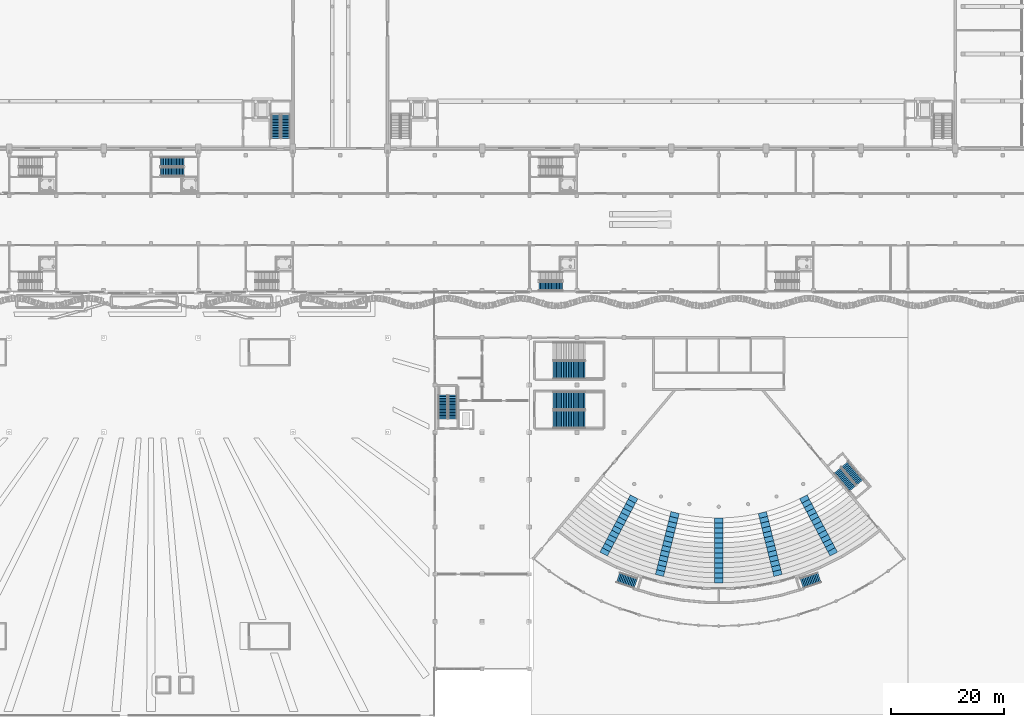
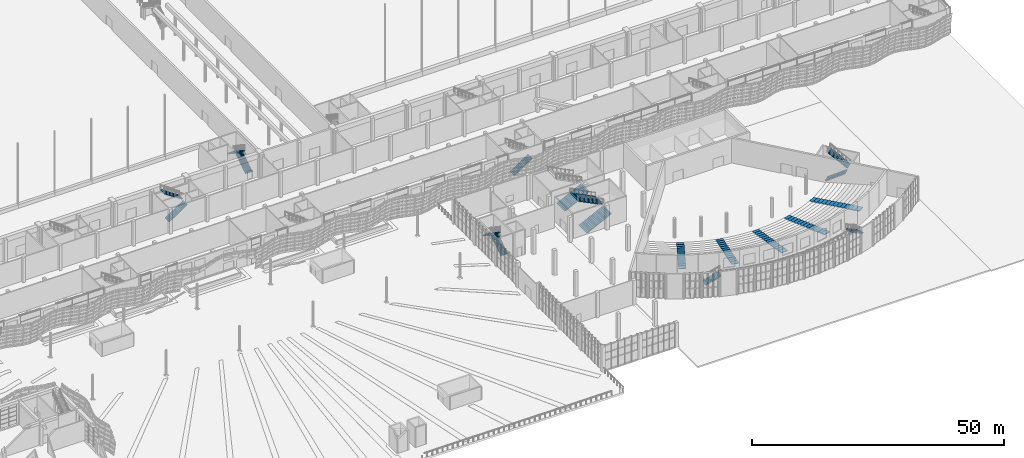
# One storey, part 130 of 210: 19 stair flights, 14 elements without a shape of their own.
"""IFC4 building model written with IfcOpenShell, lengths in metres."""

from ifc_helpers import new_model, si_unit, direction, frame, origin, place, context, subcontext, project, spatial, polyline, outline, extrude, material, layer, layer_set, type_object, element, aggregate, save


model = new_model("IFC4")

# Units and contexts
model_context = context("Model", 3, precision=1e-05, world=origin(), true_north=direction((0.0, 1.0)))
body_context = subcontext(model_context, "Body", "Model", "MODEL_VIEW")
ifc_project = project(units=[si_unit("LENGTHUNIT", "METRE"), si_unit("AREAUNIT", "SQUARE_METRE"), si_unit("VOLUMEUNIT", "CUBIC_METRE"), si_unit("PLANEANGLEUNIT", "RADIAN"), si_unit("MASSUNIT", "GRAM", prefix="KILO")], contexts=[model_context])

# Site, building, storey
site_placement = place(None, origin())
site = spatial("IfcSite", under=ifc_project, at=site_placement, CompositionType="ELEMENT")
building_placement = place(site_placement, origin())
building = spatial("IfcBuilding", under=site, at=building_placement, Name="Rain Tree Exposition and Congress Centre", CompositionType="ELEMENT")
storey_placement = place(building_placement, origin())
storey = spatial("IfcBuildingStorey", under=building, at=storey_placement, Name="L00", CompositionType="ELEMENT", Elevation=0.0)

# Stair, stair flight
ifc_material_1 = material(Name="Concrete C40/50", Category="concrete")
stair_type_1 = type_object("IfcStairType", Name="Aisle stair 1500 congress", PredefinedType="STRAIGHT_RUN_STAIR", material=ifc_material_1)
stair_1_placement = place(storey_placement, origin())
stair_1 = element("IfcStair", 1, at=stair_1_placement, inside=storey, type_object=stair_type_1, Name="Aisle stair AS1", PredefinedType="STRAIGHT_RUN_STAIR")
ifc_material_2 = material(Name="Concrete C40/50", Category="concrete")
ifc_layer_1 = layer(ifc_material_2, 0.14990234375)
ifc_layer_set_1 = layer_set([ifc_layer_1], Name="Concrete C40/50")
stair_flight_type_1 = type_object("IfcStairFlightType", Name="Aisle stair flight 1500 congress", PredefinedType="STRAIGHT", material=ifc_layer_set_1)
stair_flight_1_placement = place(storey_placement, frame((186.576904296875, 38.94580078125, 0.0), z_axis=(0.0, 0.0, 1.0), x_axis=(-0.469471562786, -0.882947592859, 0.0)))
stair_flight_1 = element("IfcStairFlight", 2, at=stair_flight_1_placement, type_object=stair_flight_type_1, Name="Aisle stair AS1 flight", NumberOfRisers=14, NumberOfTreads=13, PredefinedType="STRAIGHT", RiserHeight=0.15, TreadLength=0.8857, context=body_context, shape_type="SweptSolid", body=[
    extrude(outline(polyline([(0.0, 0.0), (0.0, 0.14990234375), (0.8857421875, 0.14990234375), (0.8857421875, 0.300048828125), (1.771484375, 0.300048828125), (1.771484375, 0.449951171875), (2.656982421875, 0.449951171875), (2.656982421875, 0.60009765625), (3.542724609375, 0.60009765625), (3.542724609375, 0.75), (4.428466796875, 0.75), (4.428466796875, 0.89990234375), (5.314208984375, 0.89990234375), (5.314208984375, 1.050048828125), (6.199951171875, 1.050048828125), (6.199951171875, 1.199951171875), (7.085693359375, 1.199951171875), (7.085693359375, 1.35009765625), (7.97119140625, 1.35009765625), (7.97119140625, 1.5), (8.85693359375, 1.5), (8.85693359375, 1.64990234375), (9.74267578125, 1.64990234375), (9.74267578125, 1.800048828125), (10.62841796875, 1.800048828125), (10.62841796875, 1.949951171875), (11.51416015625, 1.949951171875), (11.51416015625, 2.10009765625), (11.51416015625, 1.7978515625), (0.897705078125, 0.0), (0.0, 0.0)])), frame((0.0, 0.75, 0.0), z_axis=(0.0, -1.0, 0.0), x_axis=(1.0, 0.0, 0.0)), (0.0, 0.0, 1.0), 1.5),
])
aggregate(stair_1, [stair_flight_1])

stair_2_placement = place(storey_placement, origin())
stair_2 = element("IfcStair", 3, at=stair_2_placement, inside=storey, type_object=stair_type_1, Name="Aisle stair AS2", PredefinedType="STRAIGHT_RUN_STAIR")
stair_flight_2_placement = place(storey_placement, frame((193.8583984375, 36.150390625, 0.0), z_axis=(0.0, 0.0, 1.0), x_axis=(-0.2419218956, -0.970295726276, 0.0)))
stair_flight_2 = element("IfcStairFlight", 4, at=stair_flight_2_placement, type_object=stair_flight_type_1, Name="Aisle stair AS2 flight", NumberOfRisers=14, NumberOfTreads=13, PredefinedType="STRAIGHT", RiserHeight=0.15, TreadLength=0.8857, context=body_context, shape_type="SweptSolid", body=[
    extrude(outline(polyline([(0.0, 0.0), (0.0, 0.14990234375), (0.8857421875, 0.14990234375), (0.8857421875, 0.300048828125), (1.771484375, 0.300048828125), (1.771484375, 0.449951171875), (2.656982421875, 0.449951171875), (2.656982421875, 0.60009765625), (3.542724609375, 0.60009765625), (3.542724609375, 0.75), (4.428466796875, 0.75), (4.428466796875, 0.89990234375), (5.314208984375, 0.89990234375), (5.314208984375, 1.050048828125), (6.199951171875, 1.050048828125), (6.199951171875, 1.199951171875), (7.085693359375, 1.199951171875), (7.085693359375, 1.35009765625), (7.97119140625, 1.35009765625), (7.97119140625, 1.5), (8.85693359375, 1.5), (8.85693359375, 1.64990234375), (9.74267578125, 1.64990234375), (9.74267578125, 1.800048828125), (10.62841796875, 1.800048828125), (10.62841796875, 1.949951171875), (11.51416015625, 1.949951171875), (11.51416015625, 2.10009765625), (11.51416015625, 1.7978515625), (0.897705078125, 0.0), (0.0, 0.0)])), frame((0.0, 0.75, 0.0), z_axis=(0.0, -1.0, 0.0), x_axis=(1.0, 0.0, 0.0)), (0.0, 0.0, 1.0), 1.5),
])
aggregate(stair_2, [stair_flight_2])

stair_3_placement = place(storey_placement, origin())
stair_3 = element("IfcStair", 5, at=stair_3_placement, inside=storey, type_object=stair_type_1, Name="Aisle stair AS3", PredefinedType="STRAIGHT_RUN_STAIR")
stair_flight_3_placement = place(storey_placement, frame((201.60009765625, 35.199951171875, 0.0), z_axis=(0.0, 0.0, 1.0), x_axis=(0.0, -1.0, 0.0)))
stair_flight_3 = element("IfcStairFlight", 6, at=stair_flight_3_placement, type_object=stair_flight_type_1, Name="Aisle stair AS3 flight", NumberOfRisers=14, NumberOfTreads=13, PredefinedType="STRAIGHT", RiserHeight=0.15, TreadLength=0.8857, context=body_context, shape_type="SweptSolid", body=[
    extrude(outline(polyline([(0.0, 0.0), (0.0, 0.14990234375), (0.8857421875, 0.14990234375), (0.8857421875, 0.300048828125), (1.771484375, 0.300048828125), (1.771484375, 0.449951171875), (2.656982421875, 0.449951171875), (2.656982421875, 0.60009765625), (3.542724609375, 0.60009765625), (3.542724609375, 0.75), (4.428466796875, 0.75), (4.428466796875, 0.89990234375), (5.314208984375, 0.89990234375), (5.314208984375, 1.050048828125), (6.199951171875, 1.050048828125), (6.199951171875, 1.199951171875), (7.085693359375, 1.199951171875), (7.085693359375, 1.35009765625), (7.97119140625, 1.35009765625), (7.97119140625, 1.5), (8.85693359375, 1.5), (8.85693359375, 1.64990234375), (9.74267578125, 1.64990234375), (9.74267578125, 1.800048828125), (10.62841796875, 1.800048828125), (10.62841796875, 1.949951171875), (11.51416015625, 1.949951171875), (11.51416015625, 2.10009765625), (11.51416015625, 1.7978515625), (0.897705078125, 0.0), (0.0, 0.0)])), frame((0.0, 0.75, 0.0), z_axis=(0.0, -1.0, 0.0), x_axis=(1.0, 0.0, 0.0)), (0.0, 0.0, 1.0), 1.5),
])
aggregate(stair_3, [stair_flight_3])

stair_4_placement = place(storey_placement, origin())
stair_4 = element("IfcStair", 7, at=stair_4_placement, inside=storey, type_object=stair_type_1, Name="Aisle stair AS4", PredefinedType="STRAIGHT_RUN_STAIR")
stair_flight_4_placement = place(storey_placement, frame((209.341552734375, 36.150390625, 0.0), z_axis=(0.0, 0.0, 1.0), x_axis=(0.2419218956, -0.970295726276, 0.0)))
stair_flight_4 = element("IfcStairFlight", 8, at=stair_flight_4_placement, type_object=stair_flight_type_1, Name="Aisle stair AS4 flight", NumberOfRisers=14, NumberOfTreads=13, PredefinedType="STRAIGHT", RiserHeight=0.15, TreadLength=0.8857, context=body_context, shape_type="SweptSolid", body=[
    extrude(outline(polyline([(0.0, 0.0), (0.0, 0.14990234375), (0.8857421875, 0.14990234375), (0.8857421875, 0.300048828125), (1.771484375, 0.300048828125), (1.771484375, 0.449951171875), (2.656982421875, 0.449951171875), (2.656982421875, 0.60009765625), (3.542724609375, 0.60009765625), (3.542724609375, 0.75), (4.428466796875, 0.75), (4.428466796875, 0.89990234375), (5.314208984375, 0.89990234375), (5.314208984375, 1.050048828125), (6.199951171875, 1.050048828125), (6.199951171875, 1.199951171875), (7.085693359375, 1.199951171875), (7.085693359375, 1.35009765625), (7.97119140625, 1.35009765625), (7.97119140625, 1.5), (8.85693359375, 1.5), (8.85693359375, 1.64990234375), (9.74267578125, 1.64990234375), (9.74267578125, 1.800048828125), (10.62841796875, 1.800048828125), (10.62841796875, 1.949951171875), (11.51416015625, 1.949951171875), (11.51416015625, 2.10009765625), (11.51416015625, 1.7978515625), (0.897705078125, 0.0), (0.0, 0.0)])), frame((0.0, 0.75, 0.0), z_axis=(0.0, -1.0, 0.0), x_axis=(1.0, 0.0, 0.0)), (0.0, 0.0, 1.0), 1.5),
])
aggregate(stair_4, [stair_flight_4])

stair_5_placement = place(storey_placement, origin())
stair_5 = element("IfcStair", 9, at=stair_5_placement, inside=storey, type_object=stair_type_1, Name="Aisle stair AS5", PredefinedType="STRAIGHT_RUN_STAIR")
stair_flight_5_placement = place(storey_placement, frame((216.623046875, 38.94580078125, 0.0), z_axis=(0.0, 0.0, 1.0), x_axis=(0.469471562786, -0.882947592859, 0.0)))
stair_flight_5 = element("IfcStairFlight", 10, at=stair_flight_5_placement, type_object=stair_flight_type_1, Name="Aisle stair AS5 flight", NumberOfRisers=14, NumberOfTreads=13, PredefinedType="STRAIGHT", RiserHeight=0.15, TreadLength=0.8857, context=body_context, shape_type="SweptSolid", body=[
    extrude(outline(polyline([(0.0, 0.0), (0.0, 0.14990234375), (0.8857421875, 0.14990234375), (0.8857421875, 0.300048828125), (1.771484375, 0.300048828125), (1.771484375, 0.449951171875), (2.656982421875, 0.449951171875), (2.656982421875, 0.60009765625), (3.542724609375, 0.60009765625), (3.542724609375, 0.75), (4.428466796875, 0.75), (4.428466796875, 0.89990234375), (5.314208984375, 0.89990234375), (5.314208984375, 1.050048828125), (6.199951171875, 1.050048828125), (6.199951171875, 1.199951171875), (7.085693359375, 1.199951171875), (7.085693359375, 1.35009765625), (7.97119140625, 1.35009765625), (7.97119140625, 1.5), (8.85693359375, 1.5), (8.85693359375, 1.64990234375), (9.74267578125, 1.64990234375), (9.74267578125, 1.800048828125), (10.62841796875, 1.800048828125), (10.62841796875, 1.949951171875), (11.51416015625, 1.949951171875), (11.51416015625, 2.10009765625), (11.51416015625, 1.7978515625), (0.897705078125, 0.0), (0.0, 0.0)])), frame((0.0, 0.75, 0.0), z_axis=(0.0, -1.0, 0.0), x_axis=(1.0, 0.0, 0.0)), (0.0, 0.0, 1.0), 1.5),
])
aggregate(stair_5, [stair_flight_5])

ifc_material_3 = material(Name="Precast concrete C50/60", Category="concrete")
stair_type_2 = type_object("IfcStairType", Name="Concourse dogleg stair 1600", PredefinedType="HALF_TURN_STAIR", material=ifc_material_3)
stair_6_placement = place(storey_placement, origin())
stair_6 = element("IfcStair", 11, at=stair_6_placement, inside=storey, type_object=stair_type_2, Name="L00 Concourse stair", PredefinedType="HALF_TURN_STAIR")
ifc_material_4 = material(Name="Precast concrete C50/60", Category="concrete")
stair_flight_type_2 = type_object("IfcStairFlightType", Name="Concourse stair flight 1600", PredefinedType="STRAIGHT", material=ifc_material_4)
stair_flight_6_placement = place(storey_placement, frame((169.699951171875, 76.35009765625, 0.0), z_axis=(0.0, 0.0, 1.0), x_axis=(1.0, 0.0, 0.0)))
stair_flight_6 = element("IfcStairFlight", 12, at=stair_flight_6_placement, type_object=stair_flight_type_2, Name="ST-C4 flight 1", NumberOfRisers=16, NumberOfTreads=15, PredefinedType="STRAIGHT", RiserHeight=0.1875, TreadLength=0.28, context=body_context, shape_type="SweptSolid", body=[
    extrude(outline(polyline([(0.0, 0.0), (0.0, 0.1875), (0.280029296875, 0.1875), (0.280029296875, 0.375), (0.56005859375, 0.375), (0.56005859375, 0.5625), (0.840087890625, 0.5625), (0.840087890625, 0.75), (1.1201171875, 0.75), (1.1201171875, 0.9375), (1.39990234375, 0.9375), (1.39990234375, 1.125), (1.679931640625, 1.125), (1.679931640625, 1.3125), (1.9599609375, 1.3125), (1.9599609375, 1.5), (2.239990234375, 1.5), (2.239990234375, 1.6875), (2.52001953125, 1.6875), (2.52001953125, 1.875), (2.800048828125, 1.875), (2.800048828125, 2.0625), (3.080078125, 2.0625), (3.080078125, 2.25), (3.360107421875, 2.25), (3.360107421875, 2.4375), (3.639892578125, 2.4375), (3.639892578125, 2.625), (3.919921875, 2.625), (3.919921875, 2.8125), (4.199951171875, 2.8125), (4.199951171875, 3.0), (4.199951171875, 2.632080078125), (0.26953125, 0.0), (0.0, 0.0)])), frame((0.0, 0.800048828125, 0.0), z_axis=(0.0, -1.0, 0.0), x_axis=(1.0, 0.0, 0.0)), (0.0, 0.0, 1.0), 1.60009765625),
])
aggregate(stair_6, [stair_flight_6])

# Stair, stair flights
stair_7_placement = place(storey_placement, origin())
stair_7 = element("IfcStair", 13, at=stair_7_placement, inside=storey, type_object=stair_type_2, Name="L00 Concourse stair", PredefinedType="HALF_TURN_STAIR")
stair_flight_7_placement = place(storey_placement, frame((102.5, 96.64990234375, 0.0), z_axis=(0.0, 0.0, 1.0), x_axis=(1.0, 0.0, 0.0)))
stair_flight_7 = element("IfcStairFlight", 14, at=stair_flight_7_placement, type_object=stair_flight_type_2, Name="ST-C10 flight 1", NumberOfRisers=16, NumberOfTreads=15, PredefinedType="STRAIGHT", RiserHeight=0.1875, TreadLength=0.28, context=body_context, shape_type="SweptSolid", body=[
    extrude(outline(polyline([(0.0, 0.0), (0.0, 0.1875), (0.280029296875, 0.1875), (0.280029296875, 0.375), (0.56005859375, 0.375), (0.56005859375, 0.5625), (0.840087890625, 0.5625), (0.840087890625, 0.75), (1.1201171875, 0.75), (1.1201171875, 0.9375), (1.39990234375, 0.9375), (1.39990234375, 1.125), (1.679931640625, 1.125), (1.679931640625, 1.3125), (1.9599609375, 1.3125), (1.9599609375, 1.5), (2.239990234375, 1.5), (2.239990234375, 1.6875), (2.52001953125, 1.6875), (2.52001953125, 1.875), (2.800048828125, 1.875), (2.800048828125, 2.0625), (3.080078125, 2.0625), (3.080078125, 2.25), (3.360107421875, 2.25), (3.360107421875, 2.4375), (3.639892578125, 2.4375), (3.639892578125, 2.625), (3.919921875, 2.625), (3.919921875, 2.8125), (4.199951171875, 2.8125), (4.199951171875, 3.0), (4.199951171875, 2.632080078125), (0.26953125, 0.0), (0.0, 0.0)])), frame((0.0, 0.800048828125, 0.0), z_axis=(0.0, -1.0, 0.0), x_axis=(1.0, 0.0, 0.0)), (0.0, 0.0, 1.0), 1.60009765625),
])
stair_flight_8_placement = place(storey_placement, frame((106.699951171875, 98.39990234375, 3.0), z_axis=(0.0, 0.0, 1.0), x_axis=(-1.0, 0.0, 0.0)))
stair_flight_8 = element("IfcStairFlight", 15, at=stair_flight_8_placement, type_object=stair_flight_type_2, Name="ST-C10 flight 2", NumberOfRisers=16, NumberOfTreads=15, PredefinedType="STRAIGHT", RiserHeight=0.1875, TreadLength=0.28, context=body_context, shape_type="SweptSolid", body=[
    extrude(outline(polyline([(0.0, 0.0), (0.0, 0.1875), (0.280029296875, 0.1875), (0.280029296875, 0.375), (0.56005859375, 0.375), (0.56005859375, 0.5625), (0.840087890625, 0.5625), (0.840087890625, 0.75), (1.1201171875, 0.75), (1.1201171875, 0.9375), (1.39990234375, 0.9375), (1.39990234375, 1.125), (1.679931640625, 1.125), (1.679931640625, 1.3125), (1.9599609375, 1.3125), (1.9599609375, 1.5), (2.239990234375, 1.5), (2.239990234375, 1.6875), (2.52001953125, 1.6875), (2.52001953125, 1.875), (2.800048828125, 1.875), (2.800048828125, 2.0625), (3.080078125, 2.0625), (3.080078125, 2.25), (3.360107421875, 2.25), (3.360107421875, 2.4375), (3.639892578125, 2.4375), (3.639892578125, 2.625), (3.919921875, 2.625), (3.919921875, 2.8125), (4.199951171875, 2.8125), (4.199951171875, 3.0), (4.199951171875, 2.632080078125), (0.26953125, 0.0), (0.0, 0.0)])), frame((0.0, 0.800048828125, 0.0), z_axis=(0.0, -1.0, 0.0), x_axis=(1.0, 0.0, 0.0)), (0.0, 0.0, 1.0), 1.60009765625),
])
aggregate(stair_7, [stair_flight_7, stair_flight_8])

# Stair, stair flight
ifc_material_5 = material(Name="Concrete C40/50", Category="concrete")
stair_type_3 = type_object("IfcStairType", Name="Exit stair 1800 congress", PredefinedType="STRAIGHT_RUN_STAIR", material=ifc_material_5)
stair_8_placement = place(storey_placement, origin())
stair_8 = element("IfcStair", 16, at=stair_8_placement, inside=storey, type_object=stair_type_3, Name="Exit stair STX1", PredefinedType="STRAIGHT_RUN_STAIR")
ifc_material_6 = material(Name="Concrete C40/50", Category="concrete")
ifc_layer_2 = layer(ifc_material_6, 0.199951171875)
ifc_layer_set_2 = layer_set([ifc_layer_2], Name="Concrete C40/50")
stair_flight_type_3 = type_object("IfcStairFlightType", Name="Exit stair flight 1800 congress", PredefinedType="STRAIGHT", material=ifc_layer_set_2)
stair_flight_9_placement = place(storey_placement, frame((183.750732421875, 24.676025390625, 0.0), z_axis=(0.0, 0.0, 1.0), x_axis=(0.94739645631, -0.32006242293, 0.0)))
stair_flight_9 = element("IfcStairFlight", 17, at=stair_flight_9_placement, type_object=stair_flight_type_3, Name="Exit stair STX1 flight", NumberOfRisers=12, NumberOfTreads=11, PredefinedType="STRAIGHT", RiserHeight=0.175, TreadLength=0.3, context=body_context, shape_type="SweptSolid", body=[
    extrude(outline(polyline([(0.0, 0.0), (0.0, 0.175048828125), (0.300048828125, 0.175048828125), (0.300048828125, 0.35009765625), (0.60009765625, 0.35009765625), (0.60009765625, 0.52490234375), (0.89990234375, 0.52490234375), (0.89990234375, 0.699951171875), (1.199951171875, 0.699951171875), (1.199951171875, 0.875), (1.5, 0.875), (1.5, 1.050048828125), (1.800048828125, 1.050048828125), (1.800048828125, 1.22509765625), (2.10009765625, 1.22509765625), (2.10009765625, 1.39990234375), (2.39990234375, 1.39990234375), (2.39990234375, 1.574951171875), (2.699951171875, 1.574951171875), (2.699951171875, 1.75), (3.0, 1.75), (3.0, 1.925048828125), (3.300048828125, 1.925048828125), (3.300048828125, 2.10009765625), (3.300048828125, 1.693603515625), (0.396728515625, 0.0), (0.0, 0.0)])), frame((0.0, 0.89990234375, 0.0), z_axis=(0.0, -1.0, 0.0), x_axis=(1.0, 0.0, 0.0)), (0.0, 0.0, 1.0), 1.800048828125),
])
aggregate(stair_8, [stair_flight_9])

stair_9_placement = place(storey_placement, origin())
stair_9 = element("IfcStair", 18, at=stair_9_placement, inside=storey, type_object=stair_type_3, Name="Exit stair STX2", PredefinedType="STRAIGHT_RUN_STAIR")
stair_flight_10_placement = place(storey_placement, frame((219.44921875, 24.676025390625, 0.0), z_axis=(0.0, 0.0, 1.0), x_axis=(-0.94739645631, -0.32006242293, 0.0)))
stair_flight_10 = element("IfcStairFlight", 19, at=stair_flight_10_placement, type_object=stair_flight_type_3, Name="Exit stair STX2 flight", NumberOfRisers=12, NumberOfTreads=11, PredefinedType="STRAIGHT", RiserHeight=0.175, TreadLength=0.3, context=body_context, shape_type="SweptSolid", body=[
    extrude(outline(polyline([(0.0, 0.0), (0.0, 0.175048828125), (0.300048828125, 0.175048828125), (0.300048828125, 0.35009765625), (0.60009765625, 0.35009765625), (0.60009765625, 0.52490234375), (0.89990234375, 0.52490234375), (0.89990234375, 0.699951171875), (1.199951171875, 0.699951171875), (1.199951171875, 0.875), (1.5, 0.875), (1.5, 1.050048828125), (1.800048828125, 1.050048828125), (1.800048828125, 1.22509765625), (2.10009765625, 1.22509765625), (2.10009765625, 1.39990234375), (2.39990234375, 1.39990234375), (2.39990234375, 1.574951171875), (2.699951171875, 1.574951171875), (2.699951171875, 1.75), (3.0, 1.75), (3.0, 1.925048828125), (3.300048828125, 1.925048828125), (3.300048828125, 2.10009765625), (3.300048828125, 1.693603515625), (0.396728515625, 0.0), (0.0, 0.0)])), frame((0.0, 0.89990234375, 0.0), z_axis=(0.0, -1.0, 0.0), x_axis=(1.0, 0.0, 0.0)), (0.0, 0.0, 1.0), 1.800048828125),
])
aggregate(stair_9, [stair_flight_10])

# Stair, stair flights
ifc_material_7 = material(Name="Concrete C40/50", Category="concrete")
stair_type_4 = type_object("IfcStairType", Name="Half-turn stair 1600", PredefinedType="HALF_TURN_STAIR", material=ifc_material_7)
stair_10_placement = place(storey_placement, origin())
stair_10 = element("IfcStair", 20, at=stair_10_placement, inside=storey, type_object=stair_type_4, Name="L00 Stair H2", PredefinedType="HALF_TURN_STAIR")
ifc_material_8 = material(Name="Concrete C40/50", Category="concrete")
stair_flight_type_4 = type_object("IfcStairFlightType", Name="Stair flight 1600", PredefinedType="STRAIGHT", material=ifc_material_8)
stair_flight_11_placement = place(storey_placement, frame((124.699951171875, 102.60009765625, 0.0), z_axis=(0.0, 0.0, 1.0), x_axis=(0.0, 1.0, 0.0)))
stair_flight_11 = element("IfcStairFlight", 21, at=stair_flight_11_placement, type_object=stair_flight_type_4, Name="ST-H2 flight 1", NumberOfRisers=16, NumberOfTreads=15, PredefinedType="STRAIGHT", RiserHeight=0.1875, TreadLength=0.28, context=body_context, shape_type="SweptSolid", body=[
    extrude(outline(polyline([(0.0, 0.0), (0.0, 0.1875), (0.280029296875, 0.1875), (0.280029296875, 0.375), (0.56005859375, 0.375), (0.56005859375, 0.5625), (0.840087890625, 0.5625), (0.840087890625, 0.75), (1.1201171875, 0.75), (1.1201171875, 0.9375), (1.39990234375, 0.9375), (1.39990234375, 1.125), (1.679931640625, 1.125), (1.679931640625, 1.3125), (1.9599609375, 1.3125), (1.9599609375, 1.5), (2.239990234375, 1.5), (2.239990234375, 1.6875), (2.52001953125, 1.6875), (2.52001953125, 1.875), (2.800048828125, 1.875), (2.800048828125, 2.0625), (3.080078125, 2.0625), (3.080078125, 2.25), (3.360107421875, 2.25), (3.360107421875, 2.4375), (3.639892578125, 2.4375), (3.639892578125, 2.625), (3.919921875, 2.625), (3.919921875, 2.8125), (4.199951171875, 2.8125), (4.199951171875, 3.0), (4.199951171875, 2.632080078125), (0.26953125, 0.0), (0.0, 0.0)])), frame((0.0, 0.800048828125, 0.0), z_axis=(0.0, -1.0, 0.0), x_axis=(1.0, 0.0, 0.0)), (0.0, 0.0, 1.0), 1.60009765625),
])
stair_flight_12_placement = place(storey_placement, frame((122.949951171875, 106.800048828125, 3.0), z_axis=(0.0, 0.0, 1.0), x_axis=(0.0, -1.0, 0.0)))
stair_flight_12 = element("IfcStairFlight", 22, at=stair_flight_12_placement, type_object=stair_flight_type_4, Name="ST-H2 flight 2", NumberOfRisers=16, NumberOfTreads=15, PredefinedType="STRAIGHT", RiserHeight=0.1875, TreadLength=0.28, context=body_context, shape_type="SweptSolid", body=[
    extrude(outline(polyline([(0.0, 0.0), (0.0, 0.1875), (0.280029296875, 0.1875), (0.280029296875, 0.375), (0.56005859375, 0.375), (0.56005859375, 0.5625), (0.840087890625, 0.5625), (0.840087890625, 0.75), (1.1201171875, 0.75), (1.1201171875, 0.9375), (1.39990234375, 0.9375), (1.39990234375, 1.125), (1.679931640625, 1.125), (1.679931640625, 1.3125), (1.9599609375, 1.3125), (1.9599609375, 1.5), (2.239990234375, 1.5), (2.239990234375, 1.6875), (2.52001953125, 1.6875), (2.52001953125, 1.875), (2.800048828125, 1.875), (2.800048828125, 2.0625), (3.080078125, 2.0625), (3.080078125, 2.25), (3.360107421875, 2.25), (3.360107421875, 2.4375), (3.639892578125, 2.4375), (3.639892578125, 2.625), (3.919921875, 2.625), (3.919921875, 2.8125), (4.199951171875, 2.8125), (4.199951171875, 3.0), (4.199951171875, 2.632080078125), (0.26953125, 0.0), (0.0, 0.0)])), frame((0.0, 0.800048828125, 0.0), z_axis=(0.0, -1.0, 0.0), x_axis=(1.0, 0.0, 0.0)), (0.0, 0.0, 1.0), 1.60009765625),
])
aggregate(stair_10, [stair_flight_11, stair_flight_12])

ifc_material_9 = material(Name="Concrete C40/50", Category="concrete")
stair_type_5 = type_object("IfcStairType", Name="Half-turn stair congress", PredefinedType="HALF_TURN_STAIR", material=ifc_material_9)
stair_11_placement = place(storey_placement, origin())
stair_11 = element("IfcStair", 23, at=stair_11_placement, inside=storey, type_object=stair_type_5, Name="L00 Stair ST-G1", PredefinedType="HALF_TURN_STAIR")
ifc_material_10 = material(Name="Concrete C40/50", Category="concrete")
ifc_layer_3 = layer(ifc_material_10, 0.14990234375)
ifc_layer_set_3 = layer_set([ifc_layer_3], Name="Concrete C40/50")
stair_flight_type_5 = type_object("IfcStairFlightType", Name="Stair flight congress", PredefinedType="STRAIGHT", material=ifc_layer_set_3)
stair_flight_13_placement = place(storey_placement, frame((154.35009765625, 52.800048828125, 0.0), z_axis=(0.0, 0.0, 1.0), x_axis=(0.0, 1.0, 0.0)))
stair_flight_13 = element("IfcStairFlight", 24, at=stair_flight_13_placement, type_object=stair_flight_type_5, Name="ST-G1 flight 1", NumberOfRisers=16, NumberOfTreads=15, PredefinedType="STRAIGHT", RiserHeight=0.1875, TreadLength=0.28, context=body_context, shape_type="SweptSolid", body=[
    extrude(outline(polyline([(0.0, 0.0), (0.0, 0.1875), (0.280029296875, 0.1875), (0.280029296875, 0.375), (0.56005859375, 0.375), (0.56005859375, 0.5625), (0.840087890625, 0.5625), (0.840087890625, 0.75), (1.1201171875, 0.75), (1.1201171875, 0.9375), (1.39990234375, 0.9375), (1.39990234375, 1.125), (1.679931640625, 1.125), (1.679931640625, 1.3125), (1.9599609375, 1.3125), (1.9599609375, 1.5), (2.239990234375, 1.5), (2.239990234375, 1.6875), (2.52001953125, 1.6875), (2.52001953125, 1.875), (2.800048828125, 1.875), (2.800048828125, 2.0625), (3.080078125, 2.0625), (3.080078125, 2.25), (3.360107421875, 2.25), (3.360107421875, 2.4375), (3.639892578125, 2.4375), (3.639892578125, 2.625), (3.919921875, 2.625), (3.919921875, 2.8125), (4.199951171875, 2.8125), (4.199951171875, 3.0), (4.199951171875, 2.632080078125), (0.26953125, 0.0), (0.0, 0.0)])), frame((0.0, 0.800048828125, 0.0), z_axis=(0.0, -1.0, 0.0), x_axis=(1.0, 0.0, 0.0)), (0.0, 0.0, 1.0), 1.60009765625),
])
stair_flight_14_placement = place(storey_placement, frame((152.64990234375, 57.0, 3.0), z_axis=(0.0, 0.0, 1.0), x_axis=(0.0, -1.0, 0.0)))
stair_flight_14 = element("IfcStairFlight", 25, at=stair_flight_14_placement, type_object=stair_flight_type_5, Name="ST-G1 flight 2", NumberOfRisers=16, NumberOfTreads=15, PredefinedType="STRAIGHT", RiserHeight=0.1875, TreadLength=0.28, context=body_context, shape_type="SweptSolid", body=[
    extrude(outline(polyline([(0.0, 0.0), (0.0, 0.1875), (0.280029296875, 0.1875), (0.280029296875, 0.375), (0.56005859375, 0.375), (0.56005859375, 0.5625), (0.840087890625, 0.5625), (0.840087890625, 0.75), (1.1201171875, 0.75), (1.1201171875, 0.9375), (1.39990234375, 0.9375), (1.39990234375, 1.125), (1.679931640625, 1.125), (1.679931640625, 1.3125), (1.9599609375, 1.3125), (1.9599609375, 1.5), (2.239990234375, 1.5), (2.239990234375, 1.6875), (2.52001953125, 1.6875), (2.52001953125, 1.875), (2.800048828125, 1.875), (2.800048828125, 2.0625), (3.080078125, 2.0625), (3.080078125, 2.25), (3.360107421875, 2.25), (3.360107421875, 2.4375), (3.639892578125, 2.4375), (3.639892578125, 2.625), (3.919921875, 2.625), (3.919921875, 2.8125), (4.199951171875, 2.8125), (4.199951171875, 3.0), (4.199951171875, 2.632080078125), (0.26953125, 0.0), (0.0, 0.0)])), frame((0.0, 0.800048828125, 0.0), z_axis=(0.0, -1.0, 0.0), x_axis=(1.0, 0.0, 0.0)), (0.0, 0.0, 1.0), 1.60009765625),
])
aggregate(stair_11, [stair_flight_13, stair_flight_14])

stair_12_placement = place(storey_placement, origin())
stair_12 = element("IfcStair", 26, at=stair_12_placement, inside=storey, type_object=stair_type_5, Name="L00 Stair ST-G2", PredefinedType="HALF_TURN_STAIR")
stair_flight_15_placement = place(storey_placement, frame((222.67822265625, 43.6357421875, 0.0), z_axis=(0.0, 0.0, 1.0), x_axis=(0.642787609687, -0.766044443119, 0.0)))
stair_flight_15 = element("IfcStairFlight", 27, at=stair_flight_15_placement, type_object=stair_flight_type_5, Name="ST-G2 flight 1", NumberOfRisers=16, NumberOfTreads=15, PredefinedType="STRAIGHT", RiserHeight=0.1875, TreadLength=0.28, context=body_context, shape_type="SweptSolid", body=[
    extrude(outline(polyline([(0.0, 0.0), (0.0, 0.1875), (0.280029296875, 0.1875), (0.280029296875, 0.375), (0.56005859375, 0.375), (0.56005859375, 0.5625), (0.840087890625, 0.5625), (0.840087890625, 0.75), (1.1201171875, 0.75), (1.1201171875, 0.9375), (1.39990234375, 0.9375), (1.39990234375, 1.125), (1.679931640625, 1.125), (1.679931640625, 1.3125), (1.9599609375, 1.3125), (1.9599609375, 1.5), (2.239990234375, 1.5), (2.239990234375, 1.6875), (2.52001953125, 1.6875), (2.52001953125, 1.875), (2.800048828125, 1.875), (2.800048828125, 2.0625), (3.080078125, 2.0625), (3.080078125, 2.25), (3.360107421875, 2.25), (3.360107421875, 2.4375), (3.639892578125, 2.4375), (3.639892578125, 2.625), (3.919921875, 2.625), (3.919921875, 2.8125), (4.199951171875, 2.8125), (4.199951171875, 3.0), (4.199951171875, 2.632080078125), (0.26953125, 0.0), (0.0, 0.0)])), frame((0.0, 0.800048828125, 0.0), z_axis=(0.0, -1.0, 0.0), x_axis=(1.0, 0.0, 0.0)), (0.0, 0.0, 1.0), 1.60009765625),
])
stair_flight_16_placement = place(storey_placement, frame((226.68017578125, 41.51123046875, 3.0), z_axis=(0.0, 0.0, 1.0), x_axis=(-0.642787609687, 0.766044443119, 0.0)))
stair_flight_16 = element("IfcStairFlight", 28, at=stair_flight_16_placement, type_object=stair_flight_type_5, Name="ST-G2 flight 2", NumberOfRisers=16, NumberOfTreads=15, PredefinedType="STRAIGHT", RiserHeight=0.1875, TreadLength=0.28, context=body_context, shape_type="SweptSolid", body=[
    extrude(outline(polyline([(0.0, 0.0), (0.0, 0.1875), (0.280029296875, 0.1875), (0.280029296875, 0.375), (0.56005859375, 0.375), (0.56005859375, 0.5625), (0.840087890625, 0.5625), (0.840087890625, 0.75), (1.1201171875, 0.75), (1.1201171875, 0.9375), (1.39990234375, 0.9375), (1.39990234375, 1.125), (1.679931640625, 1.125), (1.679931640625, 1.3125), (1.9599609375, 1.3125), (1.9599609375, 1.5), (2.239990234375, 1.5), (2.239990234375, 1.6875), (2.52001953125, 1.6875), (2.52001953125, 1.875), (2.800048828125, 1.875), (2.800048828125, 2.0625), (3.080078125, 2.0625), (3.080078125, 2.25), (3.360107421875, 2.25), (3.360107421875, 2.4375), (3.639892578125, 2.4375), (3.639892578125, 2.625), (3.919921875, 2.625), (3.919921875, 2.8125), (4.199951171875, 2.8125), (4.199951171875, 3.0), (4.199951171875, 2.632080078125), (0.26953125, 0.0), (0.0, 0.0)])), frame((0.0, 0.800048828125, 0.0), z_axis=(0.0, -1.0, 0.0), x_axis=(1.0, 0.0, 0.0)), (0.0, 0.0, 1.0), 1.60009765625),
])
aggregate(stair_12, [stair_flight_15, stair_flight_16])

stair_13_placement = place(storey_placement, origin())
stair_13 = element("IfcStair", 29, at=stair_13_placement, inside=storey, type_object=stair_type_5, Name="L00 Stair ST-G3", PredefinedType="HALF_TURN_STAIR")
stair_flight_17_placement = place(storey_placement, frame((172.199951171875, 52.699951171875, 0.0), z_axis=(0.0, 0.0, 1.0), x_axis=(1.0, 0.0, 0.0)))
stair_flight_17 = element("IfcStairFlight", 30, at=stair_flight_17_placement, type_object=stair_flight_type_5, Name="ST-G3 flight 1", NumberOfRisers=20, NumberOfTreads=19, PredefinedType="STRAIGHT", RiserHeight=0.15, TreadLength=0.3, context=body_context, shape_type="SweptSolid", body=[
    extrude(outline(polyline([(0.0, 0.0), (0.0, 0.14990234375), (0.300048828125, 0.14990234375), (0.300048828125, 0.300048828125), (0.60009765625, 0.300048828125), (0.60009765625, 0.449951171875), (0.89990234375, 0.449951171875), (0.89990234375, 0.60009765625), (1.199951171875, 0.60009765625), (1.199951171875, 0.75), (1.5, 0.75), (1.5, 0.89990234375), (1.800048828125, 0.89990234375), (1.800048828125, 1.050048828125), (2.10009765625, 1.050048828125), (2.10009765625, 1.199951171875), (2.39990234375, 1.199951171875), (2.39990234375, 1.35009765625), (2.699951171875, 1.35009765625), (2.699951171875, 1.5), (3.0, 1.5), (3.0, 1.64990234375), (3.300048828125, 1.64990234375), (3.300048828125, 1.800048828125), (3.60009765625, 1.800048828125), (3.60009765625, 1.949951171875), (3.89990234375, 1.949951171875), (3.89990234375, 2.10009765625), (4.199951171875, 2.10009765625), (4.199951171875, 2.25), (4.5, 2.25), (4.5, 2.39990234375), (4.800048828125, 2.39990234375), (4.800048828125, 2.550048828125), (5.10009765625, 2.550048828125), (5.10009765625, 2.699951171875), (5.39990234375, 2.699951171875), (5.39990234375, 2.85009765625), (5.699951171875, 2.85009765625), (5.699951171875, 3.0), (5.699951171875, 2.682373046875), (0.335205078125, 0.0), (0.0, 0.0)])), frame((0.0, 1.60009765625, 0.0), z_axis=(0.0, -1.0, 0.0), x_axis=(1.0, 0.0, 0.0)), (0.0, 0.0, 1.0), 3.199951171875),
])
stair_flight_18_placement = place(storey_placement, frame((177.89990234375, 56.0, 3.0), z_axis=(0.0, 0.0, 1.0), x_axis=(-1.0, 0.0, 0.0)))
stair_flight_18 = element("IfcStairFlight", 31, at=stair_flight_18_placement, type_object=stair_flight_type_5, Name="ST-G3 flight 2", NumberOfRisers=20, NumberOfTreads=19, PredefinedType="STRAIGHT", RiserHeight=0.15, TreadLength=0.3, context=body_context, shape_type="SweptSolid", body=[
    extrude(outline(polyline([(0.0, 0.0), (0.0, 0.14990234375), (0.300048828125, 0.14990234375), (0.300048828125, 0.300048828125), (0.60009765625, 0.300048828125), (0.60009765625, 0.449951171875), (0.89990234375, 0.449951171875), (0.89990234375, 0.60009765625), (1.199951171875, 0.60009765625), (1.199951171875, 0.75), (1.5, 0.75), (1.5, 0.89990234375), (1.800048828125, 0.89990234375), (1.800048828125, 1.050048828125), (2.10009765625, 1.050048828125), (2.10009765625, 1.199951171875), (2.39990234375, 1.199951171875), (2.39990234375, 1.35009765625), (2.699951171875, 1.35009765625), (2.699951171875, 1.5), (3.0, 1.5), (3.0, 1.64990234375), (3.300048828125, 1.64990234375), (3.300048828125, 1.800048828125), (3.60009765625, 1.800048828125), (3.60009765625, 1.949951171875), (3.89990234375, 1.949951171875), (3.89990234375, 2.10009765625), (4.199951171875, 2.10009765625), (4.199951171875, 2.25), (4.5, 2.25), (4.5, 2.39990234375), (4.800048828125, 2.39990234375), (4.800048828125, 2.550048828125), (5.10009765625, 2.550048828125), (5.10009765625, 2.699951171875), (5.39990234375, 2.699951171875), (5.39990234375, 2.85009765625), (5.699951171875, 2.85009765625), (5.699951171875, 3.0), (5.699951171875, 2.682373046875), (0.335205078125, 0.0), (0.0, 0.0)])), frame((0.0, 1.60009765625, 0.0), z_axis=(0.0, -1.0, 0.0), x_axis=(1.0, 0.0, 0.0)), (0.0, 0.0, 1.0), 3.199951171875),
])
aggregate(stair_13, [stair_flight_17, stair_flight_18])

# Stair, stair flight
stair_14_placement = place(storey_placement, origin())
stair_14 = element("IfcStair", 32, at=stair_14_placement, inside=storey, type_object=stair_type_5, Name="L00 Stair ST-G4", PredefinedType="HALF_TURN_STAIR")
stair_flight_19_placement = place(storey_placement, frame((172.199951171875, 61.449951171875, 0.0), z_axis=(0.0, 0.0, 1.0), x_axis=(1.0, 0.0, 0.0)))
stair_flight_19 = element("IfcStairFlight", 33, at=stair_flight_19_placement, type_object=stair_flight_type_5, Name="ST-G4 flight 1", NumberOfRisers=20, NumberOfTreads=19, PredefinedType="STRAIGHT", RiserHeight=0.15, TreadLength=0.3, context=body_context, shape_type="SweptSolid", body=[
    extrude(outline(polyline([(0.0, 0.0), (0.0, 0.14990234375), (0.300048828125, 0.14990234375), (0.300048828125, 0.300048828125), (0.60009765625, 0.300048828125), (0.60009765625, 0.449951171875), (0.89990234375, 0.449951171875), (0.89990234375, 0.60009765625), (1.199951171875, 0.60009765625), (1.199951171875, 0.75), (1.5, 0.75), (1.5, 0.89990234375), (1.800048828125, 0.89990234375), (1.800048828125, 1.050048828125), (2.10009765625, 1.050048828125), (2.10009765625, 1.199951171875), (2.39990234375, 1.199951171875), (2.39990234375, 1.35009765625), (2.699951171875, 1.35009765625), (2.699951171875, 1.5), (3.0, 1.5), (3.0, 1.64990234375), (3.300048828125, 1.64990234375), (3.300048828125, 1.800048828125), (3.60009765625, 1.800048828125), (3.60009765625, 1.949951171875), (3.89990234375, 1.949951171875), (3.89990234375, 2.10009765625), (4.199951171875, 2.10009765625), (4.199951171875, 2.25), (4.5, 2.25), (4.5, 2.39990234375), (4.800048828125, 2.39990234375), (4.800048828125, 2.550048828125), (5.10009765625, 2.550048828125), (5.10009765625, 2.699951171875), (5.39990234375, 2.699951171875), (5.39990234375, 2.85009765625), (5.699951171875, 2.85009765625), (5.699951171875, 3.0), (5.699951171875, 2.682373046875), (0.335205078125, 0.0), (0.0, 0.0)])), frame((0.0, 1.60009765625, 0.0), z_axis=(0.0, -1.0, 0.0), x_axis=(1.0, 0.0, 0.0)), (0.0, 0.0, 1.0), 3.199951171875),
])
aggregate(stair_14, [stair_flight_19])

save(model, "model.ifc")
